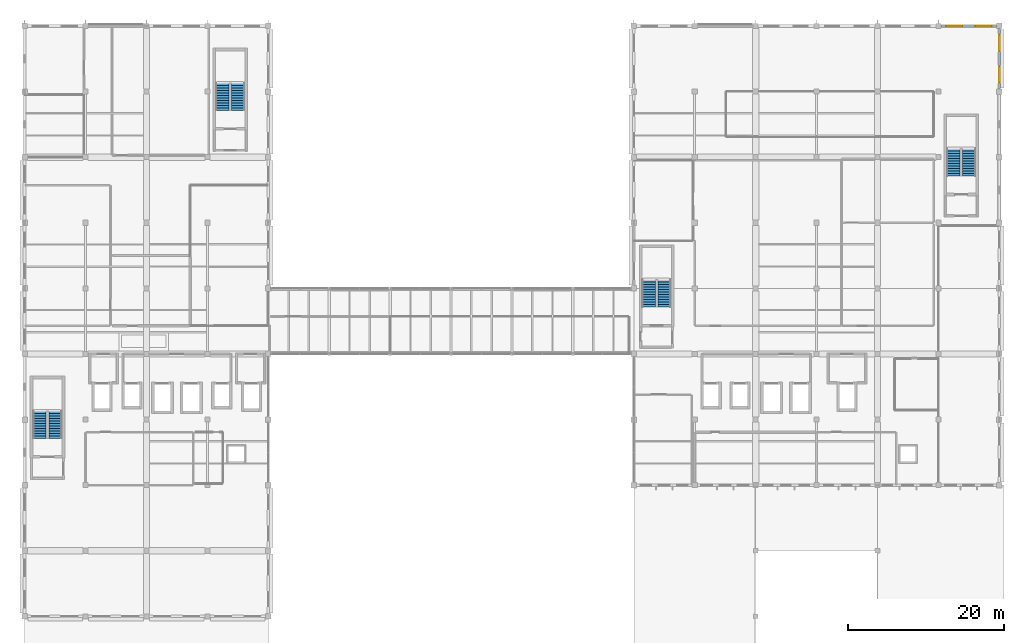
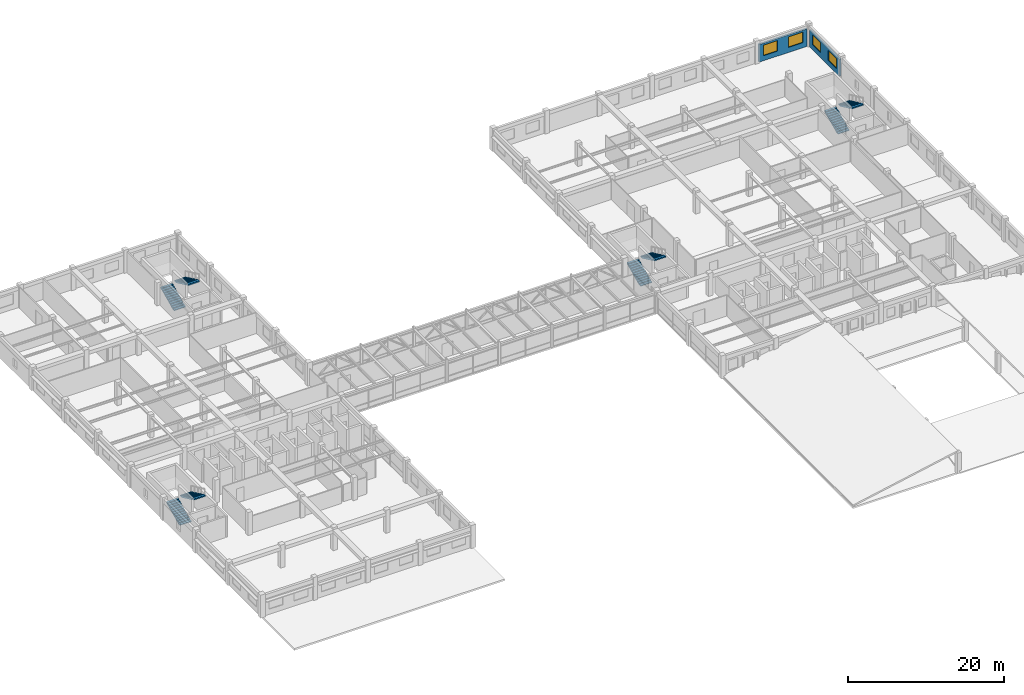
# One storey, part 46 of 49: 8 stair flights, 4 windows, 2 walls, 4 openings, 4 elements without a shape of their own.
"""IFC4 building model written with IfcOpenShell, lengths in metres."""

from ifc_helpers import new_model, si_unit, direction, frame, frame_2d, origin, place, context, subcontext, project, spatial, polyline, rectangle, outline, extrude, material, layer, layer_set, type_object, element, fill, aggregate, save


model = new_model("IFC4")

# Units and contexts
model_context = context("Model", 3, precision=1e-05, world=origin(), true_north=direction((0.0, 1.0)))
body_context = subcontext(model_context, "Body", "Model", "MODEL_VIEW")
ifc_project = project(units=[si_unit("LENGTHUNIT", "METRE"), si_unit("AREAUNIT", "SQUARE_METRE"), si_unit("VOLUMEUNIT", "CUBIC_METRE"), si_unit("PLANEANGLEUNIT", "RADIAN"), si_unit("MASSUNIT", "GRAM", prefix="KILO"), si_unit("THERMODYNAMICTEMPERATUREUNIT", "KELVIN"), si_unit("POWERUNIT", "WATT")], contexts=[model_context])

# Site, building, storey
site_placement = place(None, origin())
site = spatial("IfcSite", under=ifc_project, at=site_placement, CompositionType="ELEMENT")
building_placement = place(site_placement, origin())
building = spatial("IfcBuilding", under=site, at=building_placement, Name="Srebrne Nadtorze General Hospital", CompositionType="ELEMENT")
storey_placement = place(building_placement, frame((0.0, 0.0, 26.10009765625)))
storey = spatial("IfcBuildingStorey", under=building, at=storey_placement, Name="L06", CompositionType="ELEMENT", Elevation=26.10009765625)

# Wall, openings, windows
ifc_material_1 = material(Name="Concrete C35/45 precast", Category="concrete")
ifc_layer = layer(ifc_material_1, 0.260009765625)
ifc_layer_set = layer_set([ifc_layer], Name="Concrete C35/45 precast")
wall_type = type_object("IfcWallType", Name="Spandrel wall 260", PredefinedType="STANDARD", material=ifc_layer_set)
wall_1_placement = place(storey_placement, frame((140.72509765625, 92.39990234375, 0.0), z_axis=(0.0, 0.0, 1.0), x_axis=(1.0, 0.0, 0.0)))
wall_1 = element("IfcWall", 1, at=wall_1_placement, inside=storey, type_object=wall_type, Name="Exterior wall WL-ENV-L06-0479", PredefinedType="STANDARD", context=body_context, shape_type="SweptSolid", body=[
    extrude(rectangle(XDim=7.125, YDim=0.260009765625, at=frame_2d((3.5625, 0.0))), origin(), (0.0, 0.0, 1.0), 2.75),
])
opening_1_placement = place(wall_1_placement, frame((0.653076171875, 0.0, 0.800048828125)))
opening_1 = element("IfcOpeningElement", 2, at=opening_1_placement, cuts=wall_1, Name="Opening WN-L06-0793", PredefinedType="OPENING", context=body_context, shape_type="SweptSolid", body=[
    extrude(rectangle(XDim=2.10009765625, YDim=1.64990234375, at=frame_2d((1.050048828125, 0.824951171875))), frame((0.0, 0.14208984375, 0.0), z_axis=(0.0, -1.0, 0.0), x_axis=(1.0, 0.0, 0.0)), (0.0, 0.0, 1.0), 0.283935546875),
])
opening_2_placement = place(wall_1_placement, frame((4.39697265625, 0.0, 0.800048828125)))
opening_2 = element("IfcOpeningElement", 3, at=opening_2_placement, cuts=wall_1, Name="Opening WN-L06-0794", PredefinedType="OPENING", context=body_context, shape_type="SweptSolid", body=[
    extrude(rectangle(XDim=2.10009765625, YDim=1.64990234375, at=frame_2d((1.050048828125, 0.824951171875))), frame((0.0, 0.14208984375, 0.0), z_axis=(0.0, -1.0, 0.0), x_axis=(1.0, 0.0, 0.0)), (0.0, 0.0, 1.0), 0.283935546875),
])
ifc_material_2 = material(Name="Triple Low-E Glazing", Category="glass")
window_type_1 = type_object("IfcWindowType", Name="Punched clinical window 2100x1650", PartitioningType="DOUBLE_PANEL_VERTICAL", PredefinedType="WINDOW", material=ifc_material_2)
window_1_placement = place(opening_1_placement, origin())
window_1 = element("IfcWindow", 4, at=window_1_placement, inside=storey, type_object=window_type_1, Name="Clinical window WN-L06-0793", OverallHeight=1.64990234375, OverallWidth=2.10009765625, PartitioningType="DOUBLE_PANEL_VERTICAL", PredefinedType="WINDOW", context=body_context, shape_type="SweptSolid", body=[
    extrude(rectangle(XDim=2.10009765625, YDim=1.64990234375, at=frame_2d((1.050048828125, 0.824951171875))), frame((0.0, 0.030029296875, 0.0), z_axis=(0.0, -1.0, 0.0), x_axis=(1.0, 0.0, 0.0)), (0.0, 0.0, 1.0), 0.06005859375),
])
fill(opening_1, window_1)
window_2_placement = place(opening_2_placement, origin())
window_2 = element("IfcWindow", 5, at=window_2_placement, inside=storey, type_object=window_type_1, Name="Clinical window WN-L06-0794", OverallHeight=1.64990234375, OverallWidth=2.10009765625, PartitioningType="DOUBLE_PANEL_VERTICAL", PredefinedType="WINDOW", context=body_context, shape_type="SweptSolid", body=[
    extrude(rectangle(XDim=2.10009765625, YDim=1.64990234375, at=frame_2d((1.050048828125, 0.824951171875))), frame((0.0, 0.030029296875, 0.0), z_axis=(0.0, -1.0, 0.0), x_axis=(1.0, 0.0, 0.0)), (0.0, 0.0, 1.0), 0.06005859375),
])
fill(opening_2, window_2)

wall_2_placement = place(storey_placement, frame((148.199951171875, 84.35009765625, 0.0), z_axis=(0.0, 0.0, 1.0), x_axis=(0.0, 1.0, 0.0)))
wall_2 = element("IfcWall", 6, at=wall_2_placement, inside=storey, type_object=wall_type, Name="Exterior wall WL-ENV-L06-0505", PredefinedType="STANDARD", context=body_context, shape_type="SweptSolid", body=[
    extrude(rectangle(XDim=7.699951171875, YDim=0.260009765625, at=frame_2d((3.85009765625, 0.0))), origin(), (0.0, 0.0, 1.0), 2.64990234375),
])
opening_3_placement = place(wall_2_placement, frame((0.783935546875, 0.0, 0.800048828125)))
opening_3 = element("IfcOpeningElement", 7, at=opening_3_placement, cuts=wall_2, Name="Opening WN-L06-0838", PredefinedType="OPENING", context=body_context, shape_type="SweptSolid", body=[
    extrude(rectangle(XDim=2.10009765625, YDim=1.550048828125, at=frame_2d((1.050048828125, 0.77490234375))), frame((0.0, 0.14208984375, 0.0), z_axis=(0.0, -1.0, 0.0), x_axis=(1.0, 0.0, 0.0)), (0.0, 0.0, 1.0), 0.283935546875),
])
opening_4_placement = place(wall_2_placement, frame((4.81591796875, 0.0, 0.800048828125)))
opening_4 = element("IfcOpeningElement", 8, at=opening_4_placement, cuts=wall_2, Name="Opening WN-L06-0839", PredefinedType="OPENING", context=body_context, shape_type="SweptSolid", body=[
    extrude(rectangle(XDim=2.10009765625, YDim=1.550048828125, at=frame_2d((1.050048828125, 0.77490234375))), frame((0.0, 0.14208984375, 0.0), z_axis=(0.0, -1.0, 0.0), x_axis=(1.0, 0.0, 0.0)), (0.0, 0.0, 1.0), 0.283935546875),
])
ifc_material_3 = material(Name="Triple Low-E Glazing", Category="glass")
window_type_2 = type_object("IfcWindowType", Name="Punched clinical window 2100x1550", PartitioningType="DOUBLE_PANEL_VERTICAL", PredefinedType="WINDOW", material=ifc_material_3)
window_3_placement = place(opening_3_placement, origin())
window_3 = element("IfcWindow", 9, at=window_3_placement, inside=storey, type_object=window_type_2, Name="Clinical window WN-L06-0838", OverallHeight=1.550048828125, OverallWidth=2.10009765625, PartitioningType="DOUBLE_PANEL_VERTICAL", PredefinedType="WINDOW", context=body_context, shape_type="SweptSolid", body=[
    extrude(rectangle(XDim=2.10009765625, YDim=1.550048828125, at=frame_2d((1.050048828125, 0.77490234375))), frame((0.0, 0.030029296875, 0.0), z_axis=(0.0, -1.0, 0.0), x_axis=(1.0, 0.0, 0.0)), (0.0, 0.0, 1.0), 0.06005859375),
])
fill(opening_3, window_3)
window_4_placement = place(opening_4_placement, origin())
window_4 = element("IfcWindow", 10, at=window_4_placement, inside=storey, type_object=window_type_2, Name="Clinical window WN-L06-0839", OverallHeight=1.550048828125, OverallWidth=2.10009765625, PartitioningType="DOUBLE_PANEL_VERTICAL", PredefinedType="WINDOW", context=body_context, shape_type="SweptSolid", body=[
    extrude(rectangle(XDim=2.10009765625, YDim=1.550048828125, at=frame_2d((1.050048828125, 0.77490234375))), frame((0.0, 0.030029296875, 0.0), z_axis=(0.0, -1.0, 0.0), x_axis=(1.0, 0.0, 0.0)), (0.0, 0.0, 1.0), 0.06005859375),
])
fill(opening_4, window_4)

# Stair, stair flights
ifc_material_4 = material(Name="Concrete C35/45", Category="concrete")
stair_type = type_object("IfcStairType", Name="Dog-leg escape stair 360", PredefinedType="HALF_TURN_STAIR", material=ifc_material_4)
stair_1_placement = place(storey_placement, origin())
stair_1 = element("IfcStair", 11, at=stair_1_placement, inside=storey, type_object=stair_type, Name="Escape stair ST-01-L06", PredefinedType="HALF_TURN_STAIR")
ifc_material_5 = material(Name="Concrete C35/45", Category="concrete")
stair_flight_type = type_object("IfcStairFlightType", Name="Reinforced concrete stair flight 12R", PredefinedType="STRAIGHT", material=ifc_material_5)
stair_flight_1_placement = place(storey_placement, frame((25.300048828125, 39.60009765625, 0.0), z_axis=(0.0, 0.0, 1.0), x_axis=(0.0, 1.0, 0.0)))
stair_flight_1 = element("IfcStairFlight", 12, at=stair_flight_1_placement, type_object=stair_flight_type, Name="ST-01 flight 1", NumberOfRisers=12, NumberOfTreads=11, PredefinedType="STRAIGHT", RiserHeight=0.15, TreadLength=0.32, context=body_context, shape_type="SweptSolid", body=[
    extrude(outline(polyline([(0.0, 0.0), (0.0, 0.14990234375), (0.320068359375, 0.14990234375), (0.320068359375, 0.300048828125), (0.639892578125, 0.300048828125), (0.639892578125, 0.449951171875), (0.9599609375, 0.449951171875), (0.9599609375, 0.60009765625), (1.280029296875, 0.60009765625), (1.280029296875, 0.75), (1.60009765625, 0.75), (1.60009765625, 0.89990234375), (1.919921875, 0.89990234375), (1.919921875, 1.050048828125), (2.239990234375, 1.050048828125), (2.239990234375, 1.199951171875), (2.56005859375, 1.199951171875), (2.56005859375, 1.35009765625), (2.8798828125, 1.35009765625), (2.8798828125, 1.5), (3.199951171875, 1.5), (3.199951171875, 1.64990234375), (3.52001953125, 1.64990234375), (3.52001953125, 1.800048828125), (3.52001953125, 1.451171875), (0.423828125, 0.0), (0.0, 0.0)])), frame((0.0, 0.85009765625, 0.0), z_axis=(0.0, -1.0, 0.0), x_axis=(1.0, 0.0, 0.0)), (0.0, 0.0, 1.0), 1.699951171875),
])
stair_flight_2_placement = place(storey_placement, frame((27.35009765625, 43.1201171875, 1.7998046875), z_axis=(0.0, 0.0, 1.0), x_axis=(0.0, -1.0, 0.0)))
stair_flight_2 = element("IfcStairFlight", 13, at=stair_flight_2_placement, type_object=stair_flight_type, Name="ST-01 flight 2", NumberOfRisers=12, NumberOfTreads=11, PredefinedType="STRAIGHT", RiserHeight=0.15, TreadLength=0.32, context=body_context, shape_type="SweptSolid", body=[
    extrude(outline(polyline([(0.0, 0.0), (0.0, 0.14990234375), (0.320068359375, 0.14990234375), (0.320068359375, 0.300048828125), (0.639892578125, 0.300048828125), (0.639892578125, 0.449951171875), (0.9599609375, 0.449951171875), (0.9599609375, 0.60009765625), (1.280029296875, 0.60009765625), (1.280029296875, 0.75), (1.60009765625, 0.75), (1.60009765625, 0.89990234375), (1.919921875, 0.89990234375), (1.919921875, 1.050048828125), (2.239990234375, 1.050048828125), (2.239990234375, 1.199951171875), (2.56005859375, 1.199951171875), (2.56005859375, 1.35009765625), (2.8798828125, 1.35009765625), (2.8798828125, 1.5), (3.199951171875, 1.5), (3.199951171875, 1.64990234375), (3.52001953125, 1.64990234375), (3.52001953125, 1.800048828125), (3.52001953125, 1.451171875), (0.423828125, 0.0), (0.0, 0.0)])), frame((0.0, 0.85009765625, 0.0), z_axis=(0.0, -1.0, 0.0), x_axis=(1.0, 0.0, 0.0)), (0.0, 0.0, 1.0), 1.699951171875),
])
aggregate(stair_1, [stair_flight_1, stair_flight_2])

stair_2_placement = place(storey_placement, origin())
stair_2 = element("IfcStair", 14, at=stair_2_placement, inside=storey, type_object=stair_type, Name="Escape stair ST-02-L06", PredefinedType="HALF_TURN_STAIR")
stair_flight_3_placement = place(storey_placement, frame((48.699951171875, 81.60009765625, 0.0), z_axis=(0.0, 0.0, 1.0), x_axis=(0.0, 1.0, 0.0)))
stair_flight_3 = element("IfcStairFlight", 15, at=stair_flight_3_placement, type_object=stair_flight_type, Name="ST-02 flight 1", NumberOfRisers=12, NumberOfTreads=11, PredefinedType="STRAIGHT", RiserHeight=0.15, TreadLength=0.32, context=body_context, shape_type="SweptSolid", body=[
    extrude(outline(polyline([(0.0, 0.0), (0.0, 0.14990234375), (0.320068359375, 0.14990234375), (0.320068359375, 0.300048828125), (0.639892578125, 0.300048828125), (0.639892578125, 0.449951171875), (0.9599609375, 0.449951171875), (0.9599609375, 0.60009765625), (1.280029296875, 0.60009765625), (1.280029296875, 0.75), (1.60009765625, 0.75), (1.60009765625, 0.89990234375), (1.919921875, 0.89990234375), (1.919921875, 1.050048828125), (2.239990234375, 1.050048828125), (2.239990234375, 1.199951171875), (2.56005859375, 1.199951171875), (2.56005859375, 1.35009765625), (2.8798828125, 1.35009765625), (2.8798828125, 1.5), (3.199951171875, 1.5), (3.199951171875, 1.64990234375), (3.52001953125, 1.64990234375), (3.52001953125, 1.800048828125), (3.52001953125, 1.451171875), (0.423828125, 0.0), (0.0, 0.0)])), frame((0.0, 0.85009765625, 0.0), z_axis=(0.0, -1.0, 0.0), x_axis=(1.0, 0.0, 0.0)), (0.0, 0.0, 1.0), 1.699951171875),
])
stair_flight_4_placement = place(storey_placement, frame((50.75, 85.1201171875, 1.7998046875), z_axis=(0.0, 0.0, 1.0), x_axis=(0.0, -1.0, 0.0)))
stair_flight_4 = element("IfcStairFlight", 16, at=stair_flight_4_placement, type_object=stair_flight_type, Name="ST-02 flight 2", NumberOfRisers=12, NumberOfTreads=11, PredefinedType="STRAIGHT", RiserHeight=0.15, TreadLength=0.32, context=body_context, shape_type="SweptSolid", body=[
    extrude(outline(polyline([(0.0, 0.0), (0.0, 0.14990234375), (0.320068359375, 0.14990234375), (0.320068359375, 0.300048828125), (0.639892578125, 0.300048828125), (0.639892578125, 0.449951171875), (0.9599609375, 0.449951171875), (0.9599609375, 0.60009765625), (1.280029296875, 0.60009765625), (1.280029296875, 0.75), (1.60009765625, 0.75), (1.60009765625, 0.89990234375), (1.919921875, 0.89990234375), (1.919921875, 1.050048828125), (2.239990234375, 1.050048828125), (2.239990234375, 1.199951171875), (2.56005859375, 1.199951171875), (2.56005859375, 1.35009765625), (2.8798828125, 1.35009765625), (2.8798828125, 1.5), (3.199951171875, 1.5), (3.199951171875, 1.64990234375), (3.52001953125, 1.64990234375), (3.52001953125, 1.800048828125), (3.52001953125, 1.451171875), (0.423828125, 0.0), (0.0, 0.0)])), frame((0.0, 0.85009765625, 0.0), z_axis=(0.0, -1.0, 0.0), x_axis=(1.0, 0.0, 0.0)), (0.0, 0.0, 1.0), 1.699951171875),
])
aggregate(stair_2, [stair_flight_3, stair_flight_4])

stair_3_placement = place(storey_placement, origin())
stair_3 = element("IfcStair", 17, at=stair_3_placement, inside=storey, type_object=stair_type, Name="Escape stair ST-03-L06", PredefinedType="HALF_TURN_STAIR")
stair_flight_5_placement = place(storey_placement, frame((103.300048828125, 56.39990234375, 0.0), z_axis=(0.0, 0.0, 1.0), x_axis=(0.0, 1.0, 0.0)))
stair_flight_5 = element("IfcStairFlight", 18, at=stair_flight_5_placement, type_object=stair_flight_type, Name="ST-03 flight 1", NumberOfRisers=12, NumberOfTreads=11, PredefinedType="STRAIGHT", RiserHeight=0.15, TreadLength=0.32, context=body_context, shape_type="SweptSolid", body=[
    extrude(outline(polyline([(0.0, 0.0), (0.0, 0.14990234375), (0.320068359375, 0.14990234375), (0.320068359375, 0.300048828125), (0.639892578125, 0.300048828125), (0.639892578125, 0.449951171875), (0.9599609375, 0.449951171875), (0.9599609375, 0.60009765625), (1.280029296875, 0.60009765625), (1.280029296875, 0.75), (1.60009765625, 0.75), (1.60009765625, 0.89990234375), (1.919921875, 0.89990234375), (1.919921875, 1.050048828125), (2.239990234375, 1.050048828125), (2.239990234375, 1.199951171875), (2.56005859375, 1.199951171875), (2.56005859375, 1.35009765625), (2.8798828125, 1.35009765625), (2.8798828125, 1.5), (3.199951171875, 1.5), (3.199951171875, 1.64990234375), (3.52001953125, 1.64990234375), (3.52001953125, 1.800048828125), (3.52001953125, 1.451171875), (0.423828125, 0.0), (0.0, 0.0)])), frame((0.0, 0.85009765625, 0.0), z_axis=(0.0, -1.0, 0.0), x_axis=(1.0, 0.0, 0.0)), (0.0, 0.0, 1.0), 1.699951171875),
])
stair_flight_6_placement = place(storey_placement, frame((105.35009765625, 59.919921875, 1.7998046875), z_axis=(0.0, 0.0, 1.0), x_axis=(0.0, -1.0, 0.0)))
stair_flight_6 = element("IfcStairFlight", 19, at=stair_flight_6_placement, type_object=stair_flight_type, Name="ST-03 flight 2", NumberOfRisers=12, NumberOfTreads=11, PredefinedType="STRAIGHT", RiserHeight=0.15, TreadLength=0.32, context=body_context, shape_type="SweptSolid", body=[
    extrude(outline(polyline([(0.0, 0.0), (0.0, 0.14990234375), (0.320068359375, 0.14990234375), (0.320068359375, 0.300048828125), (0.639892578125, 0.300048828125), (0.639892578125, 0.449951171875), (0.9599609375, 0.449951171875), (0.9599609375, 0.60009765625), (1.280029296875, 0.60009765625), (1.280029296875, 0.75), (1.60009765625, 0.75), (1.60009765625, 0.89990234375), (1.919921875, 0.89990234375), (1.919921875, 1.050048828125), (2.239990234375, 1.050048828125), (2.239990234375, 1.199951171875), (2.56005859375, 1.199951171875), (2.56005859375, 1.35009765625), (2.8798828125, 1.35009765625), (2.8798828125, 1.5), (3.199951171875, 1.5), (3.199951171875, 1.64990234375), (3.52001953125, 1.64990234375), (3.52001953125, 1.800048828125), (3.52001953125, 1.451171875), (0.423828125, 0.0), (0.0, 0.0)])), frame((0.0, 0.85009765625, 0.0), z_axis=(0.0, -1.0, 0.0), x_axis=(1.0, 0.0, 0.0)), (0.0, 0.0, 1.0), 1.699951171875),
])
aggregate(stair_3, [stair_flight_5, stair_flight_6])

stair_4_placement = place(storey_placement, origin())
stair_4 = element("IfcStair", 20, at=stair_4_placement, inside=storey, type_object=stair_type, Name="Escape stair ST-04-L06", PredefinedType="HALF_TURN_STAIR")
stair_flight_7_placement = place(storey_placement, frame((142.300048828125, 73.199951171875, 0.0), z_axis=(0.0, 0.0, 1.0), x_axis=(0.0, 1.0, 0.0)))
stair_flight_7 = element("IfcStairFlight", 21, at=stair_flight_7_placement, type_object=stair_flight_type, Name="ST-04 flight 1", NumberOfRisers=12, NumberOfTreads=11, PredefinedType="STRAIGHT", RiserHeight=0.15, TreadLength=0.32, context=body_context, shape_type="SweptSolid", body=[
    extrude(outline(polyline([(0.0, 0.0), (0.0, 0.14990234375), (0.320068359375, 0.14990234375), (0.320068359375, 0.300048828125), (0.639892578125, 0.300048828125), (0.639892578125, 0.449951171875), (0.9599609375, 0.449951171875), (0.9599609375, 0.60009765625), (1.280029296875, 0.60009765625), (1.280029296875, 0.75), (1.60009765625, 0.75), (1.60009765625, 0.89990234375), (1.919921875, 0.89990234375), (1.919921875, 1.050048828125), (2.239990234375, 1.050048828125), (2.239990234375, 1.199951171875), (2.56005859375, 1.199951171875), (2.56005859375, 1.35009765625), (2.8798828125, 1.35009765625), (2.8798828125, 1.5), (3.199951171875, 1.5), (3.199951171875, 1.64990234375), (3.52001953125, 1.64990234375), (3.52001953125, 1.800048828125), (3.52001953125, 1.451171875), (0.423828125, 0.0), (0.0, 0.0)])), frame((0.0, 0.85009765625, 0.0), z_axis=(0.0, -1.0, 0.0), x_axis=(1.0, 0.0, 0.0)), (0.0, 0.0, 1.0), 1.699951171875),
])
stair_flight_8_placement = place(storey_placement, frame((144.35009765625, 76.719970703125, 1.7998046875), z_axis=(0.0, 0.0, 1.0), x_axis=(0.0, -1.0, 0.0)))
stair_flight_8 = element("IfcStairFlight", 22, at=stair_flight_8_placement, type_object=stair_flight_type, Name="ST-04 flight 2", NumberOfRisers=12, NumberOfTreads=11, PredefinedType="STRAIGHT", RiserHeight=0.15, TreadLength=0.32, context=body_context, shape_type="SweptSolid", body=[
    extrude(outline(polyline([(0.0, 0.0), (0.0, 0.14990234375), (0.320068359375, 0.14990234375), (0.320068359375, 0.300048828125), (0.639892578125, 0.300048828125), (0.639892578125, 0.449951171875), (0.9599609375, 0.449951171875), (0.9599609375, 0.60009765625), (1.280029296875, 0.60009765625), (1.280029296875, 0.75), (1.60009765625, 0.75), (1.60009765625, 0.89990234375), (1.919921875, 0.89990234375), (1.919921875, 1.050048828125), (2.239990234375, 1.050048828125), (2.239990234375, 1.199951171875), (2.56005859375, 1.199951171875), (2.56005859375, 1.35009765625), (2.8798828125, 1.35009765625), (2.8798828125, 1.5), (3.199951171875, 1.5), (3.199951171875, 1.64990234375), (3.52001953125, 1.64990234375), (3.52001953125, 1.800048828125), (3.52001953125, 1.451171875), (0.423828125, 0.0), (0.0, 0.0)])), frame((0.0, 0.85009765625, 0.0), z_axis=(0.0, -1.0, 0.0), x_axis=(1.0, 0.0, 0.0)), (0.0, 0.0, 1.0), 1.699951171875),
])
aggregate(stair_4, [stair_flight_7, stair_flight_8])

save(model, "model.ifc")
